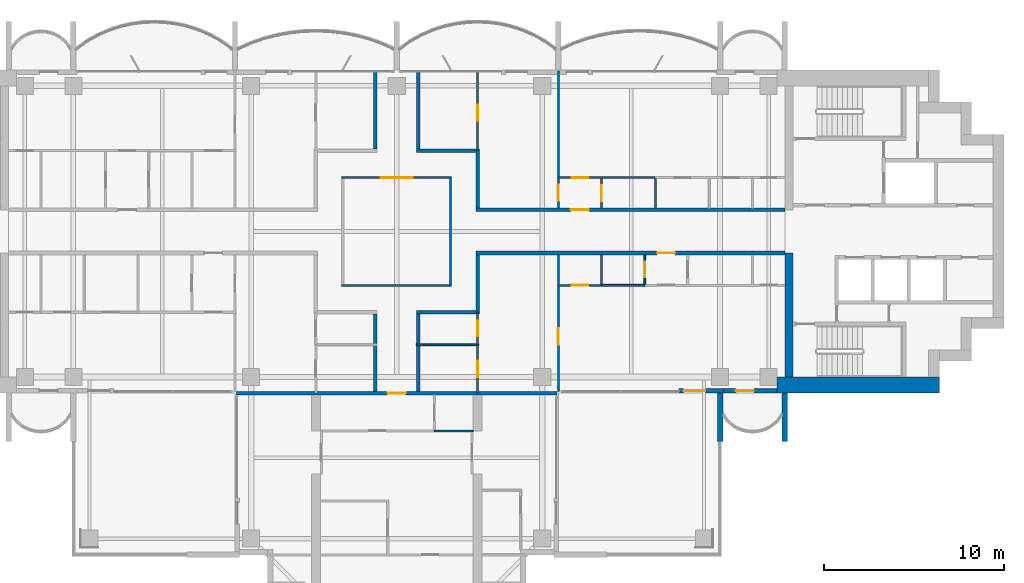
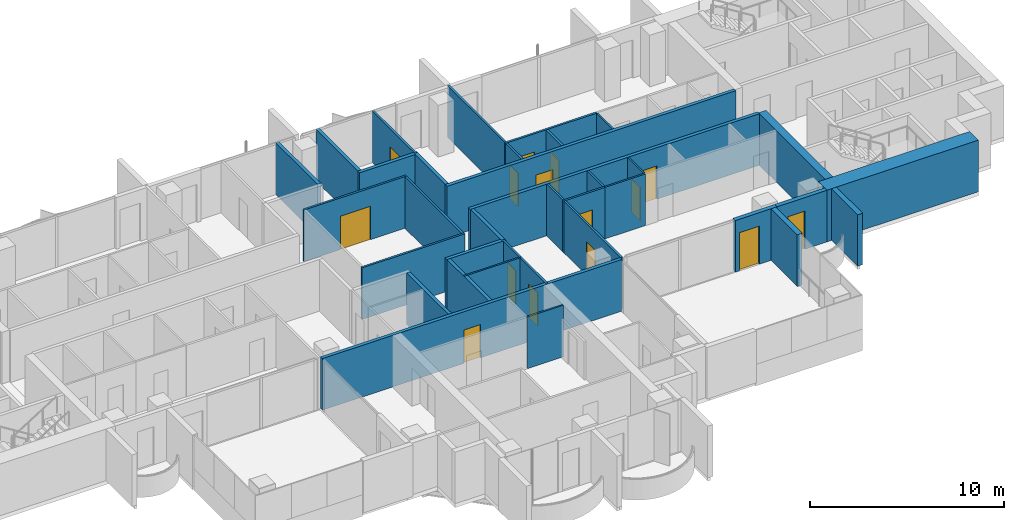
# One storey, part 11 of 17: 34 walls, 15 doors, 15 openings.
"""IFC4 building model written with IfcOpenShell, lengths in metres."""

from ifc_helpers import new_model, si_unit, direction, frame, frame_2d, origin, place, context, subcontext, project, spatial, rectangle, extrude, material, layer, layer_set, type_object, element, fill, save


model = new_model("IFC4")

# Units and contexts
model_context = context("Model", 3, precision=1e-05, world=origin(), true_north=direction((0.0, 1.0)))
body_context = subcontext(model_context, "Body", "Model", "MODEL_VIEW")
ifc_project = project(units=[si_unit("LENGTHUNIT", "METRE"), si_unit("AREAUNIT", "SQUARE_METRE"), si_unit("VOLUMEUNIT", "CUBIC_METRE"), si_unit("PLANEANGLEUNIT", "RADIAN"), si_unit("MASSUNIT", "GRAM", prefix="KILO")], contexts=[model_context])

# Site, building, storey
site_placement = place(None, origin())
site = spatial("IfcSite", under=ifc_project, at=site_placement, CompositionType="ELEMENT")
building_placement = place(site_placement, origin())
building = spatial("IfcBuilding", under=site, at=building_placement, Name="Perihelion Cross Residences", CompositionType="ELEMENT")
storey_placement = place(building_placement, frame((0.0, 0.0, 194.60009765625)))
storey = spatial("IfcBuildingStorey", under=building, at=storey_placement, Name="L48", CompositionType="ELEMENT", Elevation=194.60009765625)

# Wall, opening, door
ifc_material_1 = material(Name="Plasterboard partition")
ifc_layer_1 = layer(ifc_material_1, 0.199951171875)
ifc_layer_set_1 = layer_set([ifc_layer_1], Name="Apartment separation wall 200")
wall_type_1 = type_object("IfcWallType", Name="Apartment separation wall 200", PredefinedType="PARTITIONING", material=ifc_layer_set_1)
wall_1_placement = place(storey_placement, frame((4.39990234375, 1.199951171875, 0.0), z_axis=(0.0, 0.0, 1.0), x_axis=(1.0, 0.0, 0.0)))
wall_1 = element("IfcWall", 1, at=wall_1_placement, inside=storey, type_object=wall_type_1, Name="Partition L48 W005", PredefinedType="PARTITIONING", context=body_context, shape_type="SweptSolid", body=[
    extrude(rectangle(XDim=17.2001953125, YDim=0.199951171875, at=frame_2d((8.60009765625, 0.0))), origin(), (0.0, 0.0, 1.0), 3.25),
])
opening_1_placement = place(wall_1_placement, frame((5.300048828125, 0.0, 0.0)))
opening_1 = element("IfcOpeningElement", 2, at=opening_1_placement, cuts=wall_1, Name="Opening L48.A38", PredefinedType="OPENING", context=body_context, shape_type="SweptSolid", body=[
    extrude(rectangle(XDim=1.0, YDim=2.10009765625, at=frame_2d((0.5, 1.050048828125))), frame((0.0, 0.10986328125, 0.0), z_axis=(0.0, -1.0, 0.0), x_axis=(1.0, 0.0, 0.0)), (0.0, 0.0, 1.0), 0.219970703125),
])
ifc_material_2 = material(Name="Timber door leaf", Category="wood")
door_type_1 = type_object("IfcDoorType", Name="Flat entrance door 1000 x 2100", OperationType="SINGLE_SWING_LEFT", PredefinedType="DOOR", material=ifc_material_2)
door_1_placement = place(opening_1_placement, origin())
door_1 = element("IfcDoor", 3, at=door_1_placement, inside=storey, type_object=door_type_1, Name="Door L48.A38", OperationType="SINGLE_SWING_LEFT", OverallHeight=2.10009765625, OverallWidth=1.0, PredefinedType="DOOR", context=body_context, shape_type="SweptSolid", body=[
    extrude(rectangle(XDim=1.0, YDim=2.10009765625, at=frame_2d((0.5, 1.050048828125))), frame((0.0, 0.02490234375, 0.0), z_axis=(0.0, -1.0, 0.0), x_axis=(1.0, 0.0, 0.0)), (0.0, 0.0, 1.0), 0.050048828125),
])
fill(opening_1, door_1)

# Walls
wall_2_placement = place(storey_placement, frame((4.5, 4.5, 0.0), z_axis=(0.0, 0.0, 1.0), x_axis=(0.0, -1.0, 0.0)))
element("IfcWall", 4, at=wall_2_placement, inside=storey, type_object=wall_type_1, Name="Partition L48 W006", PredefinedType="PARTITIONING", context=body_context, shape_type="SweptSolid", body=[
    extrude(rectangle(XDim=3.199951171875, YDim=0.199951171875, at=frame_2d((1.60009765625, 0.0))), origin(), (0.0, 0.0, 1.0), 3.25),
])
wall_3_placement = place(storey_placement, frame((1.199951171875, 8.919921875, 0.0), z_axis=(0.0, 0.0, 1.0), x_axis=(0.0, -1.0, 0.0)))
element("IfcWall", 5, at=wall_3_placement, inside=storey, type_object=wall_type_1, Name="Partition L48 W007", PredefinedType="PARTITIONING", context=body_context, shape_type="SweptSolid", body=[
    extrude(rectangle(XDim=4.31982421875, YDim=0.199951171875, at=frame_2d((2.159912109375, 0.0))), origin(), (0.0, 0.0, 1.0), 3.25),
])
wall_4_placement = place(storey_placement, frame((1.10009765625, 4.5, 0.0), z_axis=(0.0, 0.0, 1.0), x_axis=(1.0, 0.0, 0.0)))
element("IfcWall", 6, at=wall_4_placement, inside=storey, type_object=wall_type_1, Name="Partition L48 W008", PredefinedType="PARTITIONING", context=body_context, shape_type="SweptSolid", body=[
    extrude(rectangle(XDim=3.5, YDim=0.199951171875, at=frame_2d((1.75, 0.0))), origin(), (0.0, 0.0, 1.0), 3.25),
])

# Wall, opening, door
wall_5_placement = place(storey_placement, frame((21.60009765625, -1.199951171875, 0.0), z_axis=(0.0, 0.0, 1.0), x_axis=(-1.0, 0.0, 0.0)))
wall_5 = element("IfcWall", 7, at=wall_5_placement, inside=storey, type_object=wall_type_1, Name="Partition L48 W009", PredefinedType="PARTITIONING", context=body_context, shape_type="SweptSolid", body=[
    extrude(rectangle(XDim=17.2001953125, YDim=0.199951171875, at=frame_2d((8.60009765625, 0.0))), origin(), (0.0, 0.0, 1.0), 3.25),
])
opening_2_placement = place(wall_5_placement, frame((6.10009765625, 0.0, 0.0)))
opening_2 = element("IfcOpeningElement", 8, at=opening_2_placement, cuts=wall_5, Name="Opening L48.A39", PredefinedType="OPENING", context=body_context, shape_type="SweptSolid", body=[
    extrude(rectangle(XDim=1.0, YDim=2.10009765625, at=frame_2d((0.5, 1.050048828125))), frame((0.0, 0.10986328125, 0.0), z_axis=(0.0, -1.0, 0.0), x_axis=(1.0, 0.0, 0.0)), (0.0, 0.0, 1.0), 0.219970703125),
])
door_2_placement = place(opening_2_placement, origin())
door_2 = element("IfcDoor", 9, at=door_2_placement, inside=storey, type_object=door_type_1, Name="Door L48.A39", OperationType="SINGLE_SWING_LEFT", OverallHeight=2.10009765625, OverallWidth=1.0, PredefinedType="DOOR", context=body_context, shape_type="SweptSolid", body=[
    extrude(rectangle(XDim=1.0, YDim=2.10009765625, at=frame_2d((0.5, 1.050048828125))), frame((0.0, 0.02490234375, 0.0), z_axis=(0.0, -1.0, 0.0), x_axis=(1.0, 0.0, 0.0)), (0.0, 0.0, 1.0), 0.050048828125),
])
fill(opening_2, door_2)

# Walls
wall_6_placement = place(storey_placement, frame((4.5, -1.300048828125, 0.0), z_axis=(0.0, 0.0, 1.0), x_axis=(0.0, -1.0, 0.0)))
element("IfcWall", 10, at=wall_6_placement, inside=storey, type_object=wall_type_1, Name="Partition L48 W010", PredefinedType="PARTITIONING", context=body_context, shape_type="SweptSolid", body=[
    extrude(rectangle(XDim=3.199951171875, YDim=0.199951171875, at=frame_2d((1.60009765625, 0.0))), origin(), (0.0, 0.0, 1.0), 3.25),
])
wall_7_placement = place(storey_placement, frame((4.60009765625, -4.5, 0.0), z_axis=(0.0, 0.0, 1.0), x_axis=(-1.0, 0.0, 0.0)))
element("IfcWall", 11, at=wall_7_placement, inside=storey, type_object=wall_type_1, Name="Partition L48 W011", PredefinedType="PARTITIONING", context=body_context, shape_type="SweptSolid", body=[
    extrude(rectangle(XDim=3.5, YDim=0.199951171875, at=frame_2d((1.75, 0.0))), origin(), (0.0, 0.0, 1.0), 3.25),
])
wall_8_placement = place(storey_placement, frame((1.199951171875, -4.60009765625, 0.0), z_axis=(0.0, 0.0, 1.0), x_axis=(0.0, -1.0, 0.0)))
element("IfcWall", 12, at=wall_8_placement, inside=storey, type_object=wall_type_1, Name="Partition L48 W012", PredefinedType="PARTITIONING", context=body_context, shape_type="SweptSolid", body=[
    extrude(rectangle(XDim=4.2998046875, YDim=0.199951171875, at=frame_2d((2.14990234375, 0.0))), origin(), (0.0, 0.0, 1.0), 3.25),
])
wall_9_placement = place(storey_placement, frame((-1.199951171875, 4.60009765625, 0.0), z_axis=(0.0, 0.0, 1.0), x_axis=(0.0, 1.0, 0.0)))
element("IfcWall", 13, at=wall_9_placement, inside=storey, type_object=wall_type_1, Name="Partition L48 W016", PredefinedType="PARTITIONING", context=body_context, shape_type="SweptSolid", body=[
    extrude(rectangle(XDim=4.31982421875, YDim=0.199951171875, at=frame_2d((2.159912109375, 0.0))), origin(), (0.0, 0.0, 1.0), 3.25),
])
wall_10_placement = place(storey_placement, frame((-1.199951171875, -8.89990234375, 0.0), z_axis=(0.0, 0.0, 1.0), x_axis=(0.0, 1.0, 0.0)))
element("IfcWall", 14, at=wall_10_placement, inside=storey, type_object=wall_type_1, Name="Partition L48 W019", PredefinedType="PARTITIONING", context=body_context, shape_type="SweptSolid", body=[
    extrude(rectangle(XDim=4.2998046875, YDim=0.199951171875, at=frame_2d((2.14990234375, 0.0))), origin(), (0.0, 0.0, 1.0), 3.25),
])

# Wall, opening, door
wall_11_placement = place(storey_placement, frame((8.919921875, -9.0, 0.0), z_axis=(0.0, 0.0, 1.0), x_axis=(-1.0, 0.0, 0.0)))
wall_11 = element("IfcWall", 15, at=wall_11_placement, inside=storey, type_object=wall_type_1, Name="Partition L48 W021", PredefinedType="PARTITIONING", context=body_context, shape_type="SweptSolid", body=[
    extrude(rectangle(XDim=17.83984375, YDim=0.199951171875, at=frame_2d((8.919921875, 0.0))), origin(), (0.0, 0.0, 1.0), 3.25),
])
opening_3_placement = place(wall_11_placement, frame((8.419921875, 0.0, 0.0)))
opening_3 = element("IfcOpeningElement", 16, at=opening_3_placement, cuts=wall_11, Name="Opening L48.A32", PredefinedType="OPENING", context=body_context, shape_type="SweptSolid", body=[
    extrude(rectangle(XDim=1.0, YDim=2.10009765625, at=frame_2d((0.5, 1.050048828125))), frame((0.0, 0.10986328125, 0.0), z_axis=(0.0, -1.0, 0.0), x_axis=(1.0, 0.0, 0.0)), (0.0, 0.0, 1.0), 0.219970703125),
])
door_3_placement = place(opening_3_placement, origin())
door_3 = element("IfcDoor", 17, at=door_3_placement, inside=storey, type_object=door_type_1, Name="Door L48.A32", OperationType="SINGLE_SWING_RIGHT", OverallHeight=2.10009765625, OverallWidth=1.0, PredefinedType="DOOR", context=body_context, shape_type="SweptSolid", body=[
    extrude(rectangle(XDim=1.0, YDim=2.10009765625, at=frame_2d((0.5, 1.050048828125))), frame((0.0, 0.02490234375, 0.0), z_axis=(0.0, -1.0, 0.0), x_axis=(1.0, 0.0, 0.0)), (0.0, 0.0, 1.0), 0.050048828125),
])
fill(opening_3, door_3)

ifc_material_3 = material(Name="Concrete C30/37, bronze-clad", Category="concrete")
ifc_layer_2 = layer(ifc_material_3, 0.25)
ifc_layer_set_2 = layer_set([ifc_layer_2], Name="Bronze-clad pier wall 250")
wall_type_2 = type_object("IfcWallType", Name="Bronze-clad pier wall 250", PredefinedType="SOLIDWALL", material=ifc_layer_set_2)
wall_12_placement = place(storey_placement, frame((15.72509765625, -8.875, 0.0), z_axis=(0.0, 0.0, 1.0), x_axis=(1.0, 0.0, 0.0)))
wall_12 = element("IfcWall", 18, at=wall_12_placement, inside=storey, type_object=wall_type_2, Name="Wall FW1 L48 east side south bay 1 pier", PredefinedType="SOLIDWALL", context=body_context, shape_type="SweptSolid", body=[
    extrude(rectangle(XDim=2.474853515625, YDim=0.25, at=frame_2d((1.2373046875, 0.0))), origin(), (0.0, 0.0, 1.0), 3.25),
])
opening_4_placement = place(wall_12_placement, frame((0.25, 0.0, 0.0)))
opening_4 = element("IfcOpeningElement", 19, at=opening_4_placement, cuts=wall_12, Name="Opening L48.E13", PredefinedType="OPENING", context=body_context, shape_type="SweptSolid", body=[
    extrude(rectangle(XDim=1.199951171875, YDim=2.39990234375, at=frame_2d((0.60009765625, 1.199951171875))), frame((0.0, 0.135009765625, 0.0), z_axis=(0.0, -1.0, 0.0), x_axis=(1.0, 0.0, 0.0)), (0.0, 0.0, 1.0), 0.27001953125),
])
ifc_material_4 = material(Name="Bronze anodised aluminium, glazed", Category="aluminium")
door_type_2 = type_object("IfcDoorType", Name="Balcony door 1200 x 2400", OperationType="NOTDEFINED", PredefinedType="DOOR", material=ifc_material_4)
door_4_placement = place(opening_4_placement, origin())
door_4 = element("IfcDoor", 20, at=door_4_placement, inside=storey, type_object=door_type_2, Name="Door L48.E13 east side south bay 1", OperationType="SINGLE_SWING_LEFT", OverallHeight=2.39990234375, OverallWidth=1.199951171875, PredefinedType="DOOR", context=body_context, shape_type="SweptSolid", body=[
    extrude(rectangle(XDim=1.199951171875, YDim=2.39990234375, at=frame_2d((0.60009765625, 1.199951171875))), frame((0.0, 0.02490234375, 0.0), z_axis=(0.0, -1.0, 0.0), x_axis=(1.0, 0.0, 0.0)), (0.0, 0.0, 1.0), 0.050048828125),
])
fill(opening_4, door_4)

wall_13_placement = place(storey_placement, frame((18.199951171875, -8.875, 0.0), z_axis=(0.0, 0.0, 1.0), x_axis=(1.0, 0.0, 0.0)))
wall_13 = element("IfcWall", 21, at=wall_13_placement, inside=storey, type_object=wall_type_2, Name="Wall FW1 L48 east side south bay 2 pier", PredefinedType="SOLIDWALL", context=body_context, shape_type="SweptSolid", body=[
    extrude(rectangle(XDim=2.97509765625, YDim=0.25, at=frame_2d((1.487548828125, 0.0))), origin(), (0.0, 0.0, 1.0), 3.25),
])
opening_5_placement = place(wall_13_placement, frame((0.675048828125, 0.0, 0.0)))
opening_5 = element("IfcOpeningElement", 22, at=opening_5_placement, cuts=wall_13, Name="Opening L48.E14", PredefinedType="OPENING", context=body_context, shape_type="SweptSolid", body=[
    extrude(rectangle(XDim=1.0, YDim=2.39990234375, at=frame_2d((0.5, 1.199951171875))), frame((0.0, 0.135009765625, 0.0), z_axis=(0.0, -1.0, 0.0), x_axis=(1.0, 0.0, 0.0)), (0.0, 0.0, 1.0), 0.27001953125),
])
ifc_material_5 = material(Name="Bronze anodised aluminium, glazed", Category="aluminium")
door_type_3 = type_object("IfcDoorType", Name="Balcony door 1000 x 2400", OperationType="NOTDEFINED", PredefinedType="DOOR", material=ifc_material_5)
door_5_placement = place(opening_5_placement, origin())
door_5 = element("IfcDoor", 23, at=door_5_placement, inside=storey, type_object=door_type_3, Name="Door L48.E14 east side south bay 2", OperationType="SINGLE_SWING_RIGHT", OverallHeight=2.39990234375, OverallWidth=1.0, PredefinedType="DOOR", context=body_context, shape_type="SweptSolid", body=[
    extrude(rectangle(XDim=1.0, YDim=2.39990234375, at=frame_2d((0.5, 1.199951171875))), frame((0.0, 0.02490234375, 0.0), z_axis=(0.0, -1.0, 0.0), x_axis=(1.0, 0.0, 0.0)), (0.0, 0.0, 1.0), 0.050048828125),
])
fill(opening_5, door_5)

# Walls
ifc_material_6 = material(Name="Concrete C60/75", Category="concrete")
ifc_layer_3 = layer(ifc_material_6, 0.449951171875)
ifc_layer_set_3 = layer_set([ifc_layer_3], Name="Core wall, inner 450")
wall_type_3 = type_object("IfcWallType", Name="Core wall, inner 450", PredefinedType="SHEAR", material=ifc_layer_set_3)
wall_14_placement = place(storey_placement, frame((21.824951171875, -8.10009765625, 0.0), z_axis=(0.0, 0.0, 1.0), x_axis=(0.0, 1.0, 0.0)))
element("IfcWall", 24, at=wall_14_placement, inside=storey, type_object=wall_type_3, Name="East core core wall, inner", PredefinedType="SHEAR", context=body_context, shape_type="SweptSolid", body=[
    extrude(rectangle(XDim=6.900146484375, YDim=0.449951171875, at=frame_2d((3.4501953125, 0.0))), origin(), (0.0, 0.0, 1.0), 3.25),
])
ifc_material_7 = material(Name="Concrete C60/75", Category="concrete")
ifc_layer_4 = layer(ifc_material_7, 0.89990234375)
ifc_layer_set_4 = layer_set([ifc_layer_4], Name="Core wall, outer 900")
wall_type_4 = type_object("IfcWallType", Name="Core wall, outer 900", PredefinedType="SHEAR", material=ifc_layer_set_4)
wall_15_placement = place(storey_placement, frame((21.175048828125, -8.550048828125, 0.0), z_axis=(0.0, 0.0, 1.0), x_axis=(1.0, 0.0, 0.0)))
element("IfcWall", 25, at=wall_15_placement, inside=storey, type_object=wall_type_4, Name="East core core wall, outer", PredefinedType="SHEAR", context=body_context, shape_type="SweptSolid", body=[
    extrude(rectangle(XDim=9.02490234375, YDim=0.89990234375, at=frame_2d((4.512451171875, 0.0))), origin(), (0.0, 0.0, 1.0), 3.25),
])
ifc_material_8 = material(Name="Plasterboard partition")
ifc_layer_5 = layer(ifc_material_8, 0.1201171875)
ifc_layer_set_5 = layer_set([ifc_layer_5], Name="Partition wall 120")
wall_type_5 = type_object("IfcWallType", Name="Partition wall 120", PredefinedType="PARTITIONING", material=ifc_layer_set_5)
wall_16_placement = place(storey_placement, frame((-3.06005859375, -3.0, 0.0), z_axis=(0.0, 0.0, 1.0), x_axis=(1.0, 0.0, 0.0)))
element("IfcWall", 26, at=wall_16_placement, inside=storey, type_object=wall_type_5, Name="Partition L48 W001", PredefinedType="PARTITIONING", context=body_context, shape_type="SweptSolid", body=[
    extrude(rectangle(XDim=6.1201171875, YDim=0.1201171875, at=frame_2d((3.06005859375, 0.0))), origin(), (0.0, 0.0, 1.0), 3.25),
])
wall_17_placement = place(storey_placement, frame((3.0, -2.93994140625, 0.0), z_axis=(0.0, 0.0, 1.0), x_axis=(0.0, 1.0, 0.0)))
element("IfcWall", 27, at=wall_17_placement, inside=storey, type_object=wall_type_5, Name="Partition L48 W002", PredefinedType="PARTITIONING", context=body_context, shape_type="SweptSolid", body=[
    extrude(rectangle(XDim=5.8798828125, YDim=0.1201171875, at=frame_2d((2.93994140625, 0.0))), origin(), (0.0, 0.0, 1.0), 3.25),
])

# Wall, opening, door
wall_18_placement = place(storey_placement, frame((3.06005859375, 3.0, 0.0), z_axis=(0.0, 0.0, 1.0), x_axis=(-1.0, 0.0, 0.0)))
wall_18 = element("IfcWall", 28, at=wall_18_placement, inside=storey, type_object=wall_type_5, Name="Partition L48 W003", PredefinedType="PARTITIONING", context=body_context, shape_type="SweptSolid", body=[
    extrude(rectangle(XDim=6.1201171875, YDim=0.1201171875, at=frame_2d((3.06005859375, 0.0))), origin(), (0.0, 0.0, 1.0), 3.25),
])
opening_6_placement = place(wall_18_placement, frame((2.159912109375, 0.0, 0.0)))
opening_6 = element("IfcOpeningElement", 29, at=opening_6_placement, cuts=wall_18, Name="Opening L48.A01", PredefinedType="OPENING", context=body_context, shape_type="SweptSolid", body=[
    extrude(rectangle(XDim=1.800048828125, YDim=2.10009765625, at=frame_2d((0.89990234375, 1.050048828125))), frame((0.0, 0.070068359375, 0.0), z_axis=(0.0, -1.0, 0.0), x_axis=(1.0, 0.0, 0.0)), (0.0, 0.0, 1.0), 0.14013671875),
])
ifc_material_9 = material(Name="Glazed timber door leaf", Category="wood")
door_type_4 = type_object("IfcDoorType", Name="Interior double leaf door 1800 x 2100", OperationType="DOUBLE_DOOR_SINGLE_SWING", PredefinedType="DOOR", material=ifc_material_9)
door_6_placement = place(opening_6_placement, origin())
door_6 = element("IfcDoor", 30, at=door_6_placement, inside=storey, type_object=door_type_4, Name="Door L48.A01", OperationType="SINGLE_SWING_LEFT", OverallHeight=2.10009765625, OverallWidth=1.800048828125, PredefinedType="DOOR", context=body_context, shape_type="SweptSolid", body=[
    extrude(rectangle(XDim=1.800048828125, YDim=2.10009765625, at=frame_2d((0.89990234375, 1.050048828125))), frame((0.0, 0.02490234375, 0.0), z_axis=(0.0, -1.0, 0.0), x_axis=(1.0, 0.0, 0.0)), (0.0, 0.0, 1.0), 0.050048828125),
])
fill(opening_6, door_6)

wall_19_placement = place(storey_placement, frame((11.39990234375, 2.93994140625, 0.0), z_axis=(0.0, 0.0, 1.0), x_axis=(0.0, -1.0, 0.0)))
wall_19 = element("IfcWall", 31, at=wall_19_placement, inside=storey, type_object=wall_type_5, Name="Partition L48 W022", PredefinedType="PARTITIONING", context=body_context, shape_type="SweptSolid", body=[
    extrude(rectangle(XDim=1.639892578125, YDim=0.1201171875, at=frame_2d((0.81982421875, 0.0))), origin(), (0.0, 0.0, 1.0), 3.25),
])
opening_7_placement = place(wall_19_placement, frame((0.3701171875, 0.0, 0.0)))
opening_7 = element("IfcOpeningElement", 32, at=opening_7_placement, cuts=wall_19, Name="Opening L48.A04", PredefinedType="OPENING", context=body_context, shape_type="SweptSolid", body=[
    extrude(rectangle(XDim=0.89990234375, YDim=2.10009765625, at=frame_2d((0.449951171875, 1.050048828125))), frame((0.0, 0.070068359375, 0.0), z_axis=(0.0, -1.0, 0.0), x_axis=(1.0, 0.0, 0.0)), (0.0, 0.0, 1.0), 0.14013671875),
])
ifc_material_10 = material(Name="Timber door leaf", Category="wood")
door_type_5 = type_object("IfcDoorType", Name="Interior room door 900 x 2100", OperationType="SINGLE_SWING_LEFT", PredefinedType="DOOR", material=ifc_material_10)
door_7_placement = place(opening_7_placement, origin())
door_7 = element("IfcDoor", 33, at=door_7_placement, inside=storey, type_object=door_type_5, Name="Door L48.A04", OperationType="SINGLE_SWING_RIGHT", OverallHeight=2.10009765625, OverallWidth=0.89990234375, PredefinedType="DOOR", context=body_context, shape_type="SweptSolid", body=[
    extrude(rectangle(XDim=0.89990234375, YDim=2.10009765625, at=frame_2d((0.449951171875, 1.050048828125))), frame((0.0, 0.02490234375, 0.0), z_axis=(0.0, -1.0, 0.0), x_axis=(1.0, 0.0, 0.0)), (0.0, 0.0, 1.0), 0.050048828125),
])
fill(opening_7, door_7)

wall_20_placement = place(storey_placement, frame((8.93994140625, 3.0, 0.0), z_axis=(0.0, 0.0, 1.0), x_axis=(1.0, 0.0, 0.0)))
wall_20 = element("IfcWall", 34, at=wall_20_placement, inside=storey, type_object=wall_type_5, Name="Partition L48 W023", PredefinedType="PARTITIONING", context=body_context, shape_type="SweptSolid", body=[
    extrude(rectangle(XDim=5.4599609375, YDim=0.1201171875, at=frame_2d((2.72998046875, 0.0))), origin(), (0.0, 0.0, 1.0), 3.25),
])
opening_8_placement = place(wall_20_placement, frame((0.81005859375, 0.0, 0.0)))
opening_8 = element("IfcOpeningElement", 35, at=opening_8_placement, cuts=wall_20, Name="Opening L48.A06", PredefinedType="OPENING", context=body_context, shape_type="SweptSolid", body=[
    extrude(rectangle(XDim=0.89990234375, YDim=2.10009765625, at=frame_2d((0.449951171875, 1.050048828125))), frame((0.0, 0.070068359375, 0.0), z_axis=(0.0, -1.0, 0.0), x_axis=(1.0, 0.0, 0.0)), (0.0, 0.0, 1.0), 0.14013671875),
])
door_8_placement = place(opening_8_placement, origin())
door_8 = element("IfcDoor", 36, at=door_8_placement, inside=storey, type_object=door_type_5, Name="Door L48.A06", OperationType="SINGLE_SWING_LEFT", OverallHeight=2.10009765625, OverallWidth=0.89990234375, PredefinedType="DOOR", context=body_context, shape_type="SweptSolid", body=[
    extrude(rectangle(XDim=0.89990234375, YDim=2.10009765625, at=frame_2d((0.449951171875, 1.050048828125))), frame((0.0, 0.02490234375, 0.0), z_axis=(0.0, -1.0, 0.0), x_axis=(1.0, 0.0, 0.0)), (0.0, 0.0, 1.0), 0.050048828125),
])
fill(opening_8, door_8)

wall_21_placement = place(storey_placement, frame((9.0, 1.300048828125, 0.0), z_axis=(0.0, 0.0, 1.0), x_axis=(0.0, 1.0, 0.0)))
wall_21 = element("IfcWall", 37, at=wall_21_placement, inside=storey, type_object=wall_type_5, Name="Partition L48 W024", PredefinedType="PARTITIONING", context=body_context, shape_type="SweptSolid", body=[
    extrude(rectangle(XDim=7.619873046875, YDim=0.1201171875, at=frame_2d((3.81005859375, 0.0))), origin(), (0.0, 0.0, 1.0), 3.25),
])
opening_9_placement = place(wall_21_placement, frame((0.39990234375, 0.0, 0.0)))
opening_9 = element("IfcOpeningElement", 38, at=opening_9_placement, cuts=wall_21, Name="Opening L48.A07", PredefinedType="OPENING", context=body_context, shape_type="SweptSolid", body=[
    extrude(rectangle(XDim=0.89990234375, YDim=2.10009765625, at=frame_2d((0.449951171875, 1.050048828125))), frame((0.0, 0.070068359375, 0.0), z_axis=(0.0, -1.0, 0.0), x_axis=(1.0, 0.0, 0.0)), (0.0, 0.0, 1.0), 0.14013671875),
])
door_9_placement = place(opening_9_placement, origin())
door_9 = element("IfcDoor", 39, at=door_9_placement, inside=storey, type_object=door_type_5, Name="Door L48.A07", OperationType="SINGLE_SWING_LEFT", OverallHeight=2.10009765625, OverallWidth=0.89990234375, PredefinedType="DOOR", context=body_context, shape_type="SweptSolid", body=[
    extrude(rectangle(XDim=0.89990234375, YDim=2.10009765625, at=frame_2d((0.449951171875, 1.050048828125))), frame((0.0, 0.02490234375, 0.0), z_axis=(0.0, -1.0, 0.0), x_axis=(1.0, 0.0, 0.0)), (0.0, 0.0, 1.0), 0.050048828125),
])
fill(opening_9, door_9)

wall_22_placement = place(storey_placement, frame((4.5, 4.5, 0.0), z_axis=(0.0, 0.0, 1.0), x_axis=(0.0, 1.0, 0.0)))
wall_22 = element("IfcWall", 40, at=wall_22_placement, inside=storey, type_object=wall_type_5, Name="Partition L48 W031", PredefinedType="PARTITIONING", context=body_context, shape_type="SweptSolid", body=[
    extrude(rectangle(XDim=4.419921875, YDim=0.1201171875, at=frame_2d((2.2099609375, 0.0))), origin(), (0.0, 0.0, 1.0), 3.25),
])
opening_10_placement = place(wall_22_placement, frame((1.64990234375, 0.0, 0.0)))
opening_10 = element("IfcOpeningElement", 41, at=opening_10_placement, cuts=wall_22, Name="Opening L48.A03", PredefinedType="OPENING", context=body_context, shape_type="SweptSolid", body=[
    extrude(rectangle(XDim=0.89990234375, YDim=2.10009765625, at=frame_2d((0.449951171875, 1.050048828125))), frame((0.0, 0.070068359375, 0.0), z_axis=(0.0, -1.0, 0.0), x_axis=(1.0, 0.0, 0.0)), (0.0, 0.0, 1.0), 0.14013671875),
])
door_10_placement = place(opening_10_placement, origin())
door_10 = element("IfcDoor", 42, at=door_10_placement, inside=storey, type_object=door_type_5, Name="Door L48.A03", OperationType="SINGLE_SWING_LEFT", OverallHeight=2.10009765625, OverallWidth=0.89990234375, PredefinedType="DOOR", context=body_context, shape_type="SweptSolid", body=[
    extrude(rectangle(XDim=0.89990234375, YDim=2.10009765625, at=frame_2d((0.449951171875, 1.050048828125))), frame((0.0, 0.02490234375, 0.0), z_axis=(0.0, -1.0, 0.0), x_axis=(1.0, 0.0, 0.0)), (0.0, 0.0, 1.0), 0.050048828125),
])
fill(opening_10, door_10)

wall_23_placement = place(storey_placement, frame((11.39990234375, -3.0, 0.0), z_axis=(0.0, 0.0, 1.0), x_axis=(-1.0, 0.0, 0.0)))
wall_23 = element("IfcWall", 43, at=wall_23_placement, inside=storey, type_object=wall_type_5, Name="Partition L48 W033", PredefinedType="PARTITIONING", context=body_context, shape_type="SweptSolid", body=[
    extrude(rectangle(XDim=2.4599609375, YDim=0.1201171875, at=frame_2d((1.22998046875, 0.0))), origin(), (0.0, 0.0, 1.0), 3.25),
])
opening_11_placement = place(wall_23_placement, frame((0.75, 0.0, 0.0)))
opening_11 = element("IfcOpeningElement", 44, at=opening_11_placement, cuts=wall_23, Name="Opening L48.A16", PredefinedType="OPENING", context=body_context, shape_type="SweptSolid", body=[
    extrude(rectangle(XDim=0.89990234375, YDim=2.10009765625, at=frame_2d((0.449951171875, 1.050048828125))), frame((0.0, 0.070068359375, 0.0), z_axis=(0.0, -1.0, 0.0), x_axis=(1.0, 0.0, 0.0)), (0.0, 0.0, 1.0), 0.14013671875),
])
door_11_placement = place(opening_11_placement, origin())
door_11 = element("IfcDoor", 45, at=door_11_placement, inside=storey, type_object=door_type_5, Name="Door L48.A16", OperationType="SINGLE_SWING_RIGHT", OverallHeight=2.10009765625, OverallWidth=0.89990234375, PredefinedType="DOOR", context=body_context, shape_type="SweptSolid", body=[
    extrude(rectangle(XDim=0.89990234375, YDim=2.10009765625, at=frame_2d((0.449951171875, 1.050048828125))), frame((0.0, 0.02490234375, 0.0), z_axis=(0.0, -1.0, 0.0), x_axis=(1.0, 0.0, 0.0)), (0.0, 0.0, 1.0), 0.050048828125),
])
fill(opening_11, door_11)

wall_24_placement = place(storey_placement, frame((9.0, -8.919921875, 0.0), z_axis=(0.0, 0.0, 1.0), x_axis=(0.0, 1.0, 0.0)))
wall_24 = element("IfcWall", 46, at=wall_24_placement, inside=storey, type_object=wall_type_5, Name="Partition L48 W034", PredefinedType="PARTITIONING", context=body_context, shape_type="SweptSolid", body=[
    extrude(rectangle(XDim=7.619873046875, YDim=0.1201171875, at=frame_2d((3.81005859375, 0.0))), origin(), (0.0, 0.0, 1.0), 3.25),
])
opening_12_placement = place(wall_24_placement, frame((2.6201171875, 0.0, 0.0)))
opening_12 = element("IfcOpeningElement", 47, at=opening_12_placement, cuts=wall_24, Name="Opening L48.A12", PredefinedType="OPENING", context=body_context, shape_type="SweptSolid", body=[
    extrude(rectangle(XDim=0.89990234375, YDim=2.10009765625, at=frame_2d((0.449951171875, 1.050048828125))), frame((0.0, 0.070068359375, 0.0), z_axis=(0.0, -1.0, 0.0), x_axis=(1.0, 0.0, 0.0)), (0.0, 0.0, 1.0), 0.14013671875),
])
door_12_placement = place(opening_12_placement, origin())
door_12 = element("IfcDoor", 48, at=door_12_placement, inside=storey, type_object=door_type_5, Name="Door L48.A12", OperationType="SINGLE_SWING_RIGHT", OverallHeight=2.10009765625, OverallWidth=0.89990234375, PredefinedType="DOOR", context=body_context, shape_type="SweptSolid", body=[
    extrude(rectangle(XDim=0.89990234375, YDim=2.10009765625, at=frame_2d((0.449951171875, 1.050048828125))), frame((0.0, 0.02490234375, 0.0), z_axis=(0.0, -1.0, 0.0), x_axis=(1.0, 0.0, 0.0)), (0.0, 0.0, 1.0), 0.050048828125),
])
fill(opening_12, door_12)

wall_25_placement = place(storey_placement, frame((4.5, -9.0, 0.0), z_axis=(0.0, 0.0, 1.0), x_axis=(0.0, 1.0, 0.0)))
wall_25 = element("IfcWall", 49, at=wall_25_placement, inside=storey, type_object=wall_type_5, Name="Partition L48 W041", PredefinedType="PARTITIONING", context=body_context, shape_type="SweptSolid", body=[
    extrude(rectangle(XDim=2.699951171875, YDim=0.1201171875, at=frame_2d((1.35009765625, 0.0))), origin(), (0.0, 0.0, 1.0), 3.25),
])
opening_13_placement = place(wall_25_placement, frame((0.89990234375, 0.0, 0.0)))
opening_13 = element("IfcOpeningElement", 50, at=opening_13_placement, cuts=wall_25, Name="Opening L48.A13", PredefinedType="OPENING", context=body_context, shape_type="SweptSolid", body=[
    extrude(rectangle(XDim=0.89990234375, YDim=2.10009765625, at=frame_2d((0.449951171875, 1.050048828125))), frame((0.0, 0.070068359375, 0.0), z_axis=(0.0, -1.0, 0.0), x_axis=(1.0, 0.0, 0.0)), (0.0, 0.0, 1.0), 0.14013671875),
])
door_13_placement = place(opening_13_placement, origin())
door_13 = element("IfcDoor", 51, at=door_13_placement, inside=storey, type_object=door_type_5, Name="Door L48.A13", OperationType="SINGLE_SWING_RIGHT", OverallHeight=2.10009765625, OverallWidth=0.89990234375, PredefinedType="DOOR", context=body_context, shape_type="SweptSolid", body=[
    extrude(rectangle(XDim=0.89990234375, YDim=2.10009765625, at=frame_2d((0.449951171875, 1.050048828125))), frame((0.0, 0.02490234375, 0.0), z_axis=(0.0, -1.0, 0.0), x_axis=(1.0, 0.0, 0.0)), (0.0, 0.0, 1.0), 0.050048828125),
])
fill(opening_13, door_13)

# Walls
ifc_material_11 = material(Name="Precast concrete C50/60", Category="concrete")
ifc_layer_6 = layer(ifc_material_11, 0.300048828125)
ifc_layer_set_6 = layer_set([ifc_layer_6], Name="Precast concrete C50/60 blade wall 300")
wall_type_6 = type_object("IfcWallType", Name="Precast concrete C50/60 blade wall 300", PredefinedType="SOLIDWALL", material=ifc_layer_set_6)
for number, where, z_axis, x_axis, name in (
    (52, (18.0, -9.0, 0.0), (0.0, 0.0, 1.0), (0.0, -1.0, 0.0), "Wall BL1 L48 no. 10"),
    (53, (21.60009765625, -9.0, 0.0), (0.0, 0.0, 1.0), (0.0, -1.0, 0.0), "Wall BL1 L48 no. 12"),
):
    element("IfcWall", number, at=place(storey_placement, frame(where, z_axis=z_axis, x_axis=x_axis)), inside=storey, type_object=wall_type_6, Name=name, PredefinedType="SOLIDWALL", context=body_context, shape_type="SweptSolid", body=[
        extrude(rectangle(XDim=2.699951171875, YDim=0.300048828125, at=frame_2d((1.35009765625, 0.0))), origin(), (0.0, 0.0, 1.0), 3.25),
    ])
ifc_material_12 = material(Name="Plasterboard partition")
ifc_layer_7 = layer(ifc_material_12, 0.10009765625)
ifc_layer_set_7 = layer_set([ifc_layer_7], Name="Wet room wall 100")
wall_type_7 = type_object("IfcWallType", Name="Wet room wall 100", PredefinedType="PARTITIONING", material=ifc_layer_set_7)
for number, where, z_axis, x_axis, name in (
    (54, (14.39990234375, 2.93994140625, 0.0), (0.0, 0.0, 1.0), (0.0, -1.0, 0.0), "Partition L48 W025"),
    (55, (11.39990234375, -1.300048828125, 0.0), (0.0, 0.0, 1.0), (0.0, -1.0, 0.0), "Partition L48 W032"),
):
    element("IfcWall", number, at=place(storey_placement, frame(where, z_axis=z_axis, x_axis=x_axis)), inside=storey, type_object=wall_type_7, Name=name, PredefinedType="PARTITIONING", context=body_context, shape_type="SweptSolid", body=[
        extrude(rectangle(XDim=1.639892578125, YDim=0.10009765625, at=frame_2d((0.81982421875, 0.0))), origin(), (0.0, 0.0, 1.0), 3.25),
    ])

# Wall, opening, door
wall_26_placement = place(storey_placement, frame((13.800048828125, -1.300048828125, 0.0), z_axis=(0.0, 0.0, 1.0), x_axis=(0.0, -1.0, 0.0)))
wall_26 = element("IfcWall", 56, at=wall_26_placement, inside=storey, type_object=wall_type_7, Name="Partition L48 W035", PredefinedType="PARTITIONING", context=body_context, shape_type="SweptSolid", body=[
    extrude(rectangle(XDim=1.639892578125, YDim=0.10009765625, at=frame_2d((0.81982421875, 0.0))), origin(), (0.0, 0.0, 1.0), 3.25),
])
opening_14_placement = place(wall_26_placement, frame((0.39501953125, 0.0, 0.0)))
opening_14 = element("IfcOpeningElement", 57, at=opening_14_placement, cuts=wall_26, Name="Opening L48.A09", PredefinedType="OPENING", context=body_context, shape_type="SweptSolid", body=[
    extrude(rectangle(XDim=0.85009765625, YDim=2.10009765625, at=frame_2d((0.425048828125, 1.050048828125))), frame((0.0, 0.06005859375, 0.0), z_axis=(0.0, -1.0, 0.0), x_axis=(1.0, 0.0, 0.0)), (0.0, 0.0, 1.0), 0.1201171875),
])
ifc_material_13 = material(Name="Timber door leaf", Category="wood")
door_type_6 = type_object("IfcDoorType", Name="Interior bathroom door 850 x 2100", OperationType="SINGLE_SWING_LEFT", PredefinedType="DOOR", material=ifc_material_13)
door_14_placement = place(opening_14_placement, origin())
door_14 = element("IfcDoor", 58, at=door_14_placement, inside=storey, type_object=door_type_6, Name="Door L48.A09", OperationType="SINGLE_SWING_RIGHT", OverallHeight=2.10009765625, OverallWidth=0.85009765625, PredefinedType="DOOR", context=body_context, shape_type="SweptSolid", body=[
    extrude(rectangle(XDim=0.85009765625, YDim=2.10009765625, at=frame_2d((0.425048828125, 1.050048828125))), frame((0.0, 0.02490234375, 0.0), z_axis=(0.0, -1.0, 0.0), x_axis=(1.0, 0.0, 0.0)), (0.0, 0.0, 1.0), 0.050048828125),
])
fill(opening_14, door_14)

# Wall
wall_27_placement = place(storey_placement, frame((13.800048828125, -3.0, 0.0), z_axis=(0.0, 0.0, 1.0), x_axis=(-1.0, 0.0, 0.0)))
element("IfcWall", 59, at=wall_27_placement, inside=storey, type_object=wall_type_7, Name="Partition L48 W036", PredefinedType="PARTITIONING", context=body_context, shape_type="SweptSolid", body=[
    extrude(rectangle(XDim=2.400146484375, YDim=0.10009765625, at=frame_2d((1.2001953125, 0.0))), origin(), (0.0, 0.0, 1.0), 3.25),
])

# Wall, opening, door
wall_28_placement = place(storey_placement, frame((4.5, -6.300048828125, 0.0), z_axis=(0.0, 0.0, 1.0), x_axis=(0.0, 1.0, 0.0)))
wall_28 = element("IfcWall", 60, at=wall_28_placement, inside=storey, type_object=wall_type_7, Name="Partition L48 W040", PredefinedType="PARTITIONING", context=body_context, shape_type="SweptSolid", body=[
    extrude(rectangle(XDim=1.800048828125, YDim=0.10009765625, at=frame_2d((0.89990234375, 0.0))), origin(), (0.0, 0.0, 1.0), 3.25),
])
opening_15_placement = place(wall_28_placement, frame((0.47509765625, 0.0, 0.0)))
opening_15 = element("IfcOpeningElement", 61, at=opening_15_placement, cuts=wall_28, Name="Opening L48.A14", PredefinedType="OPENING", context=body_context, shape_type="SweptSolid", body=[
    extrude(rectangle(XDim=0.85009765625, YDim=2.10009765625, at=frame_2d((0.425048828125, 1.050048828125))), frame((0.0, 0.06005859375, 0.0), z_axis=(0.0, -1.0, 0.0), x_axis=(1.0, 0.0, 0.0)), (0.0, 0.0, 1.0), 0.1201171875),
])
door_15_placement = place(opening_15_placement, origin())
door_15 = element("IfcDoor", 62, at=door_15_placement, inside=storey, type_object=door_type_6, Name="Door L48.A14", OperationType="SINGLE_SWING_LEFT", OverallHeight=2.10009765625, OverallWidth=0.85009765625, PredefinedType="DOOR", context=body_context, shape_type="SweptSolid", body=[
    extrude(rectangle(XDim=0.85009765625, YDim=2.10009765625, at=frame_2d((0.425048828125, 1.050048828125))), frame((0.0, 0.02490234375, 0.0), z_axis=(0.0, -1.0, 0.0), x_axis=(1.0, 0.0, 0.0)), (0.0, 0.0, 1.0), 0.050048828125),
])
fill(opening_15, door_15)

# Walls
wall_29_placement = place(storey_placement, frame((4.56005859375, -6.300048828125, 0.0), z_axis=(0.0, 0.0, 1.0), x_axis=(-1.0, 0.0, 0.0)))
element("IfcWall", 63, at=wall_29_placement, inside=storey, type_object=wall_type_7, Name="Partition L48 W042", PredefinedType="PARTITIONING", context=body_context, shape_type="SweptSolid", body=[
    extrude(rectangle(XDim=3.4599609375, YDim=0.10009765625, at=frame_2d((1.72998046875, 0.0))), origin(), (0.0, 0.0, 1.0), 3.25),
])
wall_30_placement = place(storey_placement, frame((4.25, -11.10009765625, 0.0), z_axis=(0.0, 0.0, 1.0), x_axis=(-1.0, 0.0, 0.0)))
element("IfcWall", 64, at=wall_30_placement, inside=storey, type_object=wall_type_7, Name="Partition L48 W066", PredefinedType="PARTITIONING", context=body_context, shape_type="SweptSolid", body=[
    extrude(rectangle(XDim=2.14990234375, YDim=0.10009765625, at=frame_2d((1.074951171875, 0.0))), origin(), (0.0, 0.0, 1.0), 3.25),
])

save(model, "model.ifc")
